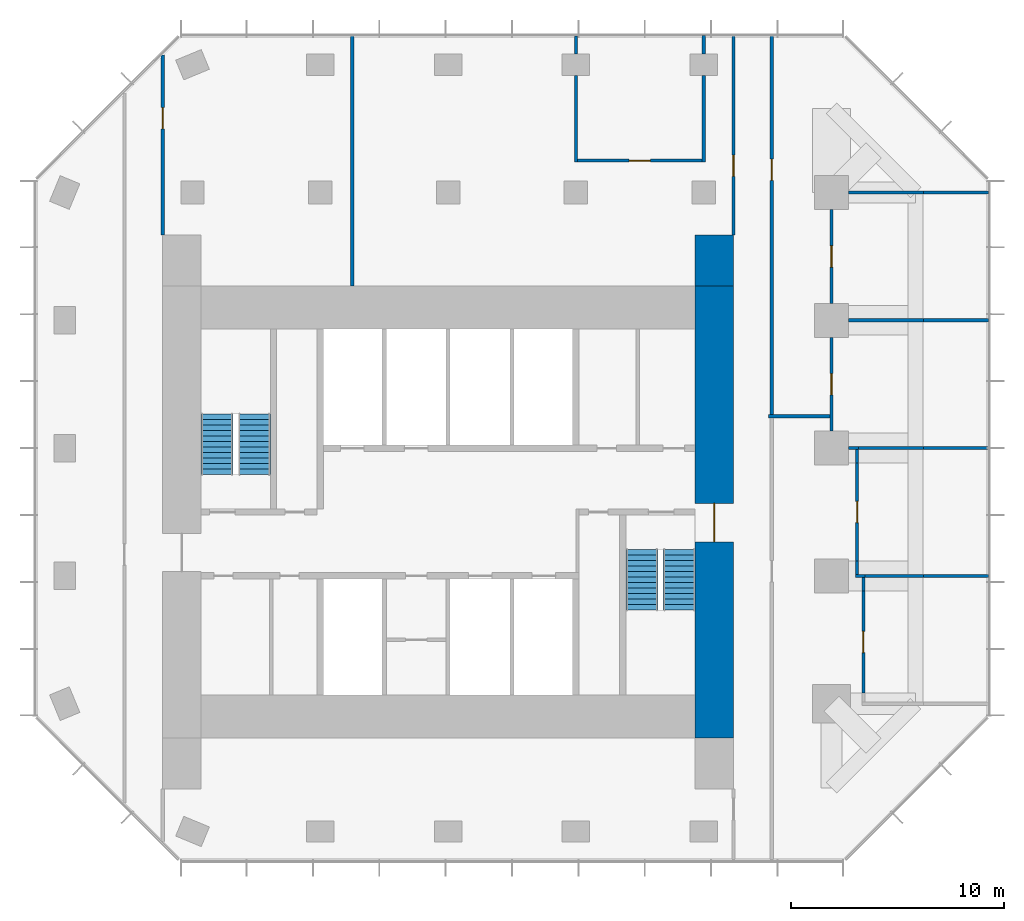
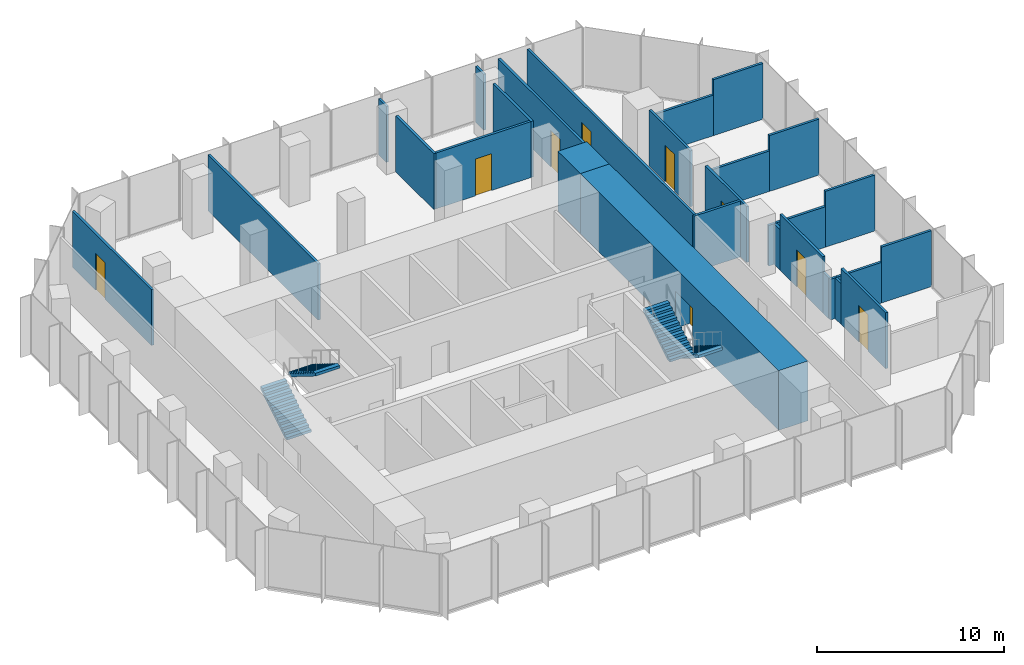
# One storey, part 9 of 10: 29 walls, 9 doors, 4 stair flights, 9 openings, 2 elements without a shape of their own.
"""IFC4 building model written with IfcOpenShell, lengths in metres."""

from ifc_helpers import new_model, si_unit, direction, frame, frame_2d, origin, place, context, subcontext, project, spatial, polyline, rectangle, outline, extrude, material, layer, layer_set, type_object, element, fill, aggregate, save


model = new_model("IFC4")

# Units and contexts
model_context = context("Model", 3, precision=1e-05, world=origin(), true_north=direction((0.0, 1.0)))
body_context = subcontext(model_context, "Body", "Model", "MODEL_VIEW")
ifc_project = project(units=[si_unit("LENGTHUNIT", "METRE"), si_unit("AREAUNIT", "SQUARE_METRE"), si_unit("VOLUMEUNIT", "CUBIC_METRE"), si_unit("PLANEANGLEUNIT", "RADIAN"), si_unit("MASSUNIT", "GRAM", prefix="KILO")], contexts=[model_context])

# Site, building, storey
site_placement = place(None, origin())
site = spatial("IfcSite", under=ifc_project, at=site_placement, CompositionType="ELEMENT")
building_placement = place(site_placement, origin())
building = spatial("IfcBuilding", under=site, at=building_placement, Name="Highveld Stack Headquarters", CompositionType="ELEMENT")
storey_placement = place(building_placement, frame((0.0, 0.0, 248.89990234375)))
storey = spatial("IfcBuildingStorey", under=building, at=storey_placement, Name="L61", CompositionType="ELEMENT", Elevation=248.89990234375)

# Wall, opening, door
ifc_material_1 = material(Name="Concrete C60/75", Category="concrete")
ifc_layer_1 = layer(ifc_material_1, 1.800048828125)
ifc_layer_set_1 = layer_set([ifc_layer_1], Name="Concrete C60/75")
wall_type_1 = type_object("IfcWallType", Name="CORE WALL 1800 C60/75", PredefinedType="SHEAR", material=ifc_layer_set_1)
wall_1_placement = place(storey_placement, frame((18.5, -7.60009765625, 0.0), z_axis=(0.0, 0.0, 1.0), x_axis=(0.0, 1.0, 0.0)))
wall_1 = element("IfcWall", 1, at=wall_1_placement, inside=storey, type_object=wall_type_1, Name="Core wall E L61", PredefinedType="SHEAR", context=body_context, shape_type="SweptSolid", body=[
    extrude(rectangle(XDim=21.2001953125, YDim=1.800048828125, at=frame_2d((10.60009765625, 0.0))), origin(), (0.0, 0.0, 1.0), 3.900146484375),
])
opening_1_placement = place(wall_1_placement, frame((9.199951171875, 0.0, 0.0)))
opening_1 = element("IfcOpeningElement", 2, at=opening_1_placement, cuts=wall_1, Name="Opening L61-02", PredefinedType="OPENING", context=body_context, shape_type="SweptSolid", body=[
    extrude(rectangle(XDim=1.800048828125, YDim=2.39990234375, at=frame_2d((0.89990234375, 1.199951171875))), frame((0.0, 0.909912109375, 0.0), z_axis=(0.0, -1.0, 0.0), x_axis=(1.0, 0.0, 0.0)), (0.0, 0.0, 1.0), 1.820068359375),
])
ifc_material_2 = material(Name="Steel fire door", Category="steel")
door_type_1 = type_object("IfcDoorType", Name="LOBBY FIRE DOOR D4 1800x2400", OperationType="DOUBLE_DOOR_SINGLE_SWING", PredefinedType="DOOR", material=ifc_material_2)
door_1_placement = place(opening_1_placement, origin())
door_1 = element("IfcDoor", 3, at=door_1_placement, inside=storey, type_object=door_type_1, Name="Core east door L61", OperationType="DOUBLE_DOOR_SINGLE_SWING", OverallHeight=2.39990234375, OverallWidth=1.800048828125, PredefinedType="DOOR", context=body_context, shape_type="SweptSolid", body=[
    extrude(rectangle(XDim=1.800048828125, YDim=2.39990234375, at=frame_2d((0.89990234375, 1.199951171875))), frame((0.0, 0.02490234375, 0.0), z_axis=(0.0, -1.0, 0.0), x_axis=(1.0, 0.0, 0.0)), (0.0, 0.0, 1.0), 0.050048828125),
])
fill(opening_1, door_1)

# Walls
ifc_material_3 = material(Name="Concrete C60/75", Category="concrete")
ifc_layer_2 = layer(ifc_material_3, 1.800048828125)
ifc_layer_set_2 = layer_set([ifc_layer_2], Name="Concrete C60/75")
wall_type_2 = type_object("IfcWallType", Name="CORE WING WALL 1800 C60/75", PredefinedType="SHEAR", material=ifc_layer_set_2)
wall_2_placement = place(storey_placement, frame((18.5, 13.60009765625, 0.0), z_axis=(0.0, 0.0, 1.0), x_axis=(0.0, 1.0, 0.0)))
element("IfcWall", 4, at=wall_2_placement, inside=storey, type_object=wall_type_2, Name="Core wing wall EN L61", PredefinedType="SHEAR", context=body_context, shape_type="SweptSolid", body=[
    extrude(rectangle(XDim=2.39990234375, YDim=1.800048828125, at=frame_2d((1.199951171875, 0.0))), origin(), (0.0, 0.0, 1.0), 3.900146484375),
])
ifc_material_4 = material(Name="Gypsum plasterboard on steel studs", Category="steel")
ifc_layer_3 = layer(ifc_material_4, 0.14990234375)
ifc_layer_set_3 = layer_set([ifc_layer_3], Name="Gypsum plasterboard on steel studs")
wall_type_3 = type_object("IfcWallType", Name="PARTITION 150 PLASTERBOARD", PredefinedType="PARTITIONING", material=ifc_layer_set_3)
wall_3_placement = place(storey_placement, frame((25.125, 0.0, 0.0), z_axis=(0.0, 0.0, 1.0), x_axis=(1.0, 0.0, 0.0)))
element("IfcWall", 5, at=wall_3_placement, inside=storey, type_object=wall_type_3, Name="Partition Tea kitchen L61", PredefinedType="PARTITIONING", context=body_context, shape_type="SweptSolid", body=[
    extrude(rectangle(XDim=0.449951171875, YDim=0.14990234375, at=frame_2d((0.22509765625, 0.0))), origin(), (0.0, 0.0, 1.0), 2.650146484375),
])
wall_4_placement = place(storey_placement, frame((25.5, 0.0, 0.0), z_axis=(0.0, 0.0, 1.0), x_axis=(1.0, 0.0, 0.0)))
element("IfcWall", 6, at=wall_4_placement, inside=storey, type_object=wall_type_3, Name="Partition Quiet room / Tea kitchen L61", PredefinedType="PARTITIONING", context=body_context, shape_type="SweptSolid", body=[
    extrude(rectangle(XDim=2.81005859375, YDim=0.14990234375, at=frame_2d((1.405029296875, 0.0))), origin(), (0.0, 0.0, 1.0), 2.650146484375),
])
wall_5_placement = place(storey_placement, frame((28.31005859375, 0.0, 0.0), z_axis=(0.0, 0.0, 1.0), x_axis=(1.0, 0.0, 0.0)))
element("IfcWall", 7, at=wall_5_placement, inside=storey, type_object=wall_type_3, Name="Partition Quiet room / Tea kitchen L61", PredefinedType="PARTITIONING", context=body_context, shape_type="SweptSolid", body=[
    extrude(rectangle(XDim=3.06494140625, YDim=0.14990234375, at=frame_2d((1.532470703125, 0.0))), origin(), (0.0, 0.0, 1.0), 3.650146484375),
])
wall_6_placement = place(storey_placement, frame((24.800048828125, 6.0, 0.0), z_axis=(0.0, 0.0, 1.0), x_axis=(1.0, 0.0, 0.0)))
element("IfcWall", 8, at=wall_6_placement, inside=storey, type_object=wall_type_3, Name="Partition Executive office L61", PredefinedType="PARTITIONING", context=body_context, shape_type="SweptSolid", body=[
    extrude(rectangle(XDim=0.474853515625, YDim=0.14990234375, at=frame_2d((0.2373046875, 0.0))), origin(), (0.0, 0.0, 1.0), 2.650146484375),
])
wall_7_placement = place(storey_placement, frame((25.199951171875, 6.0, 0.0), z_axis=(0.0, 0.0, 1.0), x_axis=(1.0, 0.0, 0.0)))
element("IfcWall", 9, at=wall_7_placement, inside=storey, type_object=wall_type_3, Name="Partition Executive office / Tea kitchen L61", PredefinedType="PARTITIONING", context=body_context, shape_type="SweptSolid", body=[
    extrude(rectangle(XDim=3.110107421875, YDim=0.14990234375, at=frame_2d((1.55517578125, 0.0))), origin(), (0.0, 0.0, 1.0), 2.650146484375),
])
wall_8_placement = place(storey_placement, frame((28.31005859375, 6.0, 0.0), z_axis=(0.0, 0.0, 1.0), x_axis=(1.0, 0.0, 0.0)))
element("IfcWall", 10, at=wall_8_placement, inside=storey, type_object=wall_type_3, Name="Partition Executive office / Tea kitchen L61", PredefinedType="PARTITIONING", context=body_context, shape_type="SweptSolid", body=[
    extrude(rectangle(XDim=3.0400390625, YDim=0.14990234375, at=frame_2d((1.52001953125, 0.0))), origin(), (0.0, 0.0, 1.0), 3.650146484375),
])
wall_9_placement = place(storey_placement, frame((24.800048828125, 12.0, 0.0), z_axis=(0.0, 0.0, 1.0), x_axis=(1.0, 0.0, 0.0)))
element("IfcWall", 11, at=wall_9_placement, inside=storey, type_object=wall_type_3, Name="Partition Executive office L61", PredefinedType="PARTITIONING", context=body_context, shape_type="SweptSolid", body=[
    extrude(rectangle(XDim=3.510009765625, YDim=0.14990234375, at=frame_2d((1.7548828125, 0.0))), origin(), (0.0, 0.0, 1.0), 2.650146484375),
])
wall_10_placement = place(storey_placement, frame((28.31005859375, 12.0, 0.0), z_axis=(0.0, 0.0, 1.0), x_axis=(1.0, 0.0, 0.0)))
element("IfcWall", 12, at=wall_10_placement, inside=storey, type_object=wall_type_3, Name="Partition Executive office L61", PredefinedType="PARTITIONING", context=body_context, shape_type="SweptSolid", body=[
    extrude(rectangle(XDim=3.06494140625, YDim=0.14990234375, at=frame_2d((1.532470703125, 0.0))), origin(), (0.0, 0.0, 1.0), 3.650146484375),
])
wall_11_placement = place(storey_placement, frame((24.800048828125, 18.0, 0.0), z_axis=(0.0, 0.0, 1.0), x_axis=(1.0, 0.0, 0.0)))
element("IfcWall", 13, at=wall_11_placement, inside=storey, type_object=wall_type_3, Name="Partition Executive office L61", PredefinedType="PARTITIONING", context=body_context, shape_type="SweptSolid", body=[
    extrude(rectangle(XDim=3.510009765625, YDim=0.14990234375, at=frame_2d((1.7548828125, 0.0))), origin(), (0.0, 0.0, 1.0), 2.650146484375),
])
wall_12_placement = place(storey_placement, frame((28.31005859375, 18.0, 0.0), z_axis=(0.0, 0.0, 1.0), x_axis=(1.0, 0.0, 0.0)))
element("IfcWall", 14, at=wall_12_placement, inside=storey, type_object=wall_type_3, Name="Partition Executive office L61", PredefinedType="PARTITIONING", context=body_context, shape_type="SweptSolid", body=[
    extrude(rectangle(XDim=3.06494140625, YDim=0.14990234375, at=frame_2d((1.532470703125, 0.0))), origin(), (0.0, 0.0, 1.0), 3.650146484375),
])

# Wall, opening, door
wall_13_placement = place(storey_placement, frame((12.074951171875, 19.5, 0.0), z_axis=(0.0, 0.0, 1.0), x_axis=(1.0, 0.0, 0.0)))
wall_13 = element("IfcWall", 15, at=wall_13_placement, inside=storey, type_object=wall_type_3, Name="Partition Quiet room L61", PredefinedType="PARTITIONING", context=body_context, shape_type="SweptSolid", body=[
    extrude(rectangle(XDim=5.85009765625, YDim=0.14990234375, at=frame_2d((2.925048828125, 0.0))), origin(), (0.0, 0.0, 1.0), 3.650146484375),
])
opening_2_placement = place(wall_13_placement, frame((2.425048828125, 0.0, 0.0)))
opening_2 = element("IfcOpeningElement", 16, at=opening_2_placement, cuts=wall_13, Name="Opening L61-17", PredefinedType="OPENING", context=body_context, shape_type="SweptSolid", body=[
    extrude(rectangle(XDim=1.0, YDim=2.39990234375, at=frame_2d((0.5, 1.199951171875))), frame((0.0, 0.0849609375, 0.0), z_axis=(0.0, -1.0, 0.0), x_axis=(1.0, 0.0, 0.0)), (0.0, 0.0, 1.0), 0.169921875),
])
ifc_material_5 = material(Name="Timber door, oiled ash", Category="wood")
door_type_2 = type_object("IfcDoorType", Name="ROOM DOOR D11 1000x2400", OperationType="SINGLE_SWING_LEFT", PredefinedType="DOOR", material=ifc_material_5)
door_2_placement = place(opening_2_placement, origin())
door_2 = element("IfcDoor", 17, at=door_2_placement, inside=storey, type_object=door_type_2, Name="Quiet room door 1 L61", OperationType="SINGLE_SWING_LEFT", OverallHeight=2.39990234375, OverallWidth=1.0, PredefinedType="DOOR", context=body_context, shape_type="SweptSolid", body=[
    extrude(rectangle(XDim=1.0, YDim=2.39990234375, at=frame_2d((0.5, 1.199951171875))), frame((0.0, 0.02490234375, 0.0), z_axis=(0.0, -1.0, 0.0), x_axis=(1.0, 0.0, 0.0)), (0.0, 0.0, 1.0), 0.050048828125),
])
fill(opening_2, door_2)

# Walls
wall_14_placement = place(storey_placement, frame((12.0, 19.425048828125, 0.0), z_axis=(0.0, 0.0, 1.0), x_axis=(0.0, 1.0, 0.0)))
element("IfcWall", 18, at=wall_14_placement, inside=storey, type_object=wall_type_3, Name="Partition Quiet room L61", PredefinedType="PARTITIONING", context=body_context, shape_type="SweptSolid", body=[
    extrude(rectangle(XDim=4.074951171875, YDim=0.14990234375, at=frame_2d((2.03759765625, 0.0))), origin(), (0.0, 0.0, 1.0), 3.650146484375),
])
wall_15_placement = place(storey_placement, frame((12.0, 24.5, 0.0), z_axis=(0.0, 0.0, 1.0), x_axis=(0.0, 1.0, 0.0)))
element("IfcWall", 19, at=wall_15_placement, inside=storey, type_object=wall_type_3, Name="Partition Quiet room L61", PredefinedType="PARTITIONING", context=body_context, shape_type="SweptSolid", body=[
    extrude(rectangle(XDim=0.85009765625, YDim=0.14990234375, at=frame_2d((0.425048828125, 0.0))), origin(), (0.0, 0.0, 1.0), 3.650146484375),
])
wall_16_placement = place(storey_placement, frame((18.0, 19.425048828125, 0.0), z_axis=(0.0, 0.0, 1.0), x_axis=(0.0, 1.0, 0.0)))
element("IfcWall", 20, at=wall_16_placement, inside=storey, type_object=wall_type_3, Name="Partition Quiet room L61", PredefinedType="PARTITIONING", context=body_context, shape_type="SweptSolid", body=[
    extrude(rectangle(XDim=4.074951171875, YDim=0.14990234375, at=frame_2d((2.03759765625, 0.0))), origin(), (0.0, 0.0, 1.0), 3.650146484375),
])
wall_17_placement = place(storey_placement, frame((18.0, 24.5, 0.0), z_axis=(0.0, 0.0, 1.0), x_axis=(0.0, 1.0, 0.0)))
element("IfcWall", 21, at=wall_17_placement, inside=storey, type_object=wall_type_3, Name="Partition Quiet room L61", PredefinedType="PARTITIONING", context=body_context, shape_type="SweptSolid", body=[
    extrude(rectangle(XDim=0.875, YDim=0.14990234375, at=frame_2d((0.4375, 0.0))), origin(), (0.0, 0.0, 1.0), 3.650146484375),
])

# Wall, opening, door
wall_18_placement = place(storey_placement, frame((24.0, 6.800048828125, 0.0), z_axis=(0.0, 0.0, 1.0), x_axis=(0.0, 1.0, 0.0)))
wall_18 = element("IfcWall", 22, at=wall_18_placement, inside=storey, type_object=wall_type_3, Name="Partition Executive office L61", PredefinedType="PARTITIONING", context=body_context, shape_type="SweptSolid", body=[
    extrude(rectangle(XDim=4.39990234375, YDim=0.14990234375, at=frame_2d((2.199951171875, 0.0))), origin(), (0.0, 0.0, 1.0), 3.650146484375),
])
opening_3_placement = place(wall_18_placement, frame((1.699951171875, 0.0, 0.0)))
opening_3 = element("IfcOpeningElement", 23, at=opening_3_placement, cuts=wall_18, Name="Opening L61-15", PredefinedType="OPENING", context=body_context, shape_type="SweptSolid", body=[
    extrude(rectangle(XDim=1.0, YDim=2.39990234375, at=frame_2d((0.5, 1.199951171875))), frame((0.0, 0.0849609375, 0.0), z_axis=(0.0, -1.0, 0.0), x_axis=(1.0, 0.0, 0.0)), (0.0, 0.0, 1.0), 0.169921875),
])
door_3_placement = place(opening_3_placement, origin())
door_3 = element("IfcDoor", 24, at=door_3_placement, inside=storey, type_object=door_type_2, Name="Executive office door 1 L61", OperationType="SINGLE_SWING_LEFT", OverallHeight=2.39990234375, OverallWidth=1.0, PredefinedType="DOOR", context=body_context, shape_type="SweptSolid", body=[
    extrude(rectangle(XDim=1.0, YDim=2.39990234375, at=frame_2d((0.5, 1.199951171875))), frame((0.0, 0.02490234375, 0.0), z_axis=(0.0, -1.0, 0.0), x_axis=(1.0, 0.0, 0.0)), (0.0, 0.0, 1.0), 0.050048828125),
])
fill(opening_3, door_3)

wall_19_placement = place(storey_placement, frame((24.0, 12.800048828125, 0.0), z_axis=(0.0, 0.0, 1.0), x_axis=(0.0, 1.0, 0.0)))
wall_19 = element("IfcWall", 25, at=wall_19_placement, inside=storey, type_object=wall_type_3, Name="Partition Executive office L61", PredefinedType="PARTITIONING", context=body_context, shape_type="SweptSolid", body=[
    extrude(rectangle(XDim=4.39990234375, YDim=0.14990234375, at=frame_2d((2.199951171875, 0.0))), origin(), (0.0, 0.0, 1.0), 3.650146484375),
])
opening_4_placement = place(wall_19_placement, frame((1.699951171875, 0.0, 0.0)))
opening_4 = element("IfcOpeningElement", 26, at=opening_4_placement, cuts=wall_19, Name="Opening L61-16", PredefinedType="OPENING", context=body_context, shape_type="SweptSolid", body=[
    extrude(rectangle(XDim=1.0, YDim=2.39990234375, at=frame_2d((0.5, 1.199951171875))), frame((0.0, 0.0849609375, 0.0), z_axis=(0.0, -1.0, 0.0), x_axis=(1.0, 0.0, 0.0)), (0.0, 0.0, 1.0), 0.169921875),
])
door_4_placement = place(opening_4_placement, origin())
door_4 = element("IfcDoor", 27, at=door_4_placement, inside=storey, type_object=door_type_2, Name="Executive office door 1 L61", OperationType="SINGLE_SWING_LEFT", OverallHeight=2.39990234375, OverallWidth=1.0, PredefinedType="DOOR", context=body_context, shape_type="SweptSolid", body=[
    extrude(rectangle(XDim=1.0, YDim=2.39990234375, at=frame_2d((0.5, 1.199951171875))), frame((0.0, 0.02490234375, 0.0), z_axis=(0.0, -1.0, 0.0), x_axis=(1.0, 0.0, 0.0)), (0.0, 0.0, 1.0), 0.050048828125),
])
fill(opening_4, door_4)

# Wall
wall_20_placement = place(storey_placement, frame((25.199951171875, 0.074951171875, 0.0), z_axis=(0.0, 0.0, 1.0), x_axis=(0.0, 1.0, 0.0)))
element("IfcWall", 28, at=wall_20_placement, inside=storey, type_object=wall_type_3, Name="Partition Tea kitchen L61", PredefinedType="PARTITIONING", context=body_context, shape_type="SweptSolid", body=[
    extrude(rectangle(XDim=0.635009765625, YDim=0.14990234375, at=frame_2d((0.3173828125, 0.0))), origin(), (0.0, 0.0, 1.0), 2.650146484375),
])

# Wall, opening, door
wall_21_placement = place(storey_placement, frame((25.199951171875, 0.7099609375, 0.0), z_axis=(0.0, 0.0, 1.0), x_axis=(0.0, 1.0, 0.0)))
wall_21 = element("IfcWall", 29, at=wall_21_placement, inside=storey, type_object=wall_type_3, Name="Partition Tea kitchen L61", PredefinedType="PARTITIONING", context=body_context, shape_type="SweptSolid", body=[
    extrude(rectangle(XDim=4.580078125, YDim=0.14990234375, at=frame_2d((2.2900390625, 0.0))), origin(), (0.0, 0.0, 1.0), 3.650146484375),
])
opening_5_placement = place(wall_21_placement, frame((1.7900390625, 0.0, 0.0)))
opening_5 = element("IfcOpeningElement", 30, at=opening_5_placement, cuts=wall_21, Name="Opening L61-14", PredefinedType="OPENING", context=body_context, shape_type="SweptSolid", body=[
    extrude(rectangle(XDim=1.0, YDim=2.39990234375, at=frame_2d((0.5, 1.199951171875))), frame((0.0, 0.0849609375, 0.0), z_axis=(0.0, -1.0, 0.0), x_axis=(1.0, 0.0, 0.0)), (0.0, 0.0, 1.0), 0.169921875),
])
door_5_placement = place(opening_5_placement, origin())
door_5 = element("IfcDoor", 31, at=door_5_placement, inside=storey, type_object=door_type_2, Name="Tea kitchen door 1 L61", OperationType="SINGLE_SWING_LEFT", OverallHeight=2.39990234375, OverallWidth=1.0, PredefinedType="DOOR", context=body_context, shape_type="SweptSolid", body=[
    extrude(rectangle(XDim=1.0, YDim=2.39990234375, at=frame_2d((0.5, 1.199951171875))), frame((0.0, 0.02490234375, 0.0), z_axis=(0.0, -1.0, 0.0), x_axis=(1.0, 0.0, 0.0)), (0.0, 0.0, 1.0), 0.050048828125),
])
fill(opening_5, door_5)

# Wall
wall_22_placement = place(storey_placement, frame((25.199951171875, 5.2900390625, 0.0), z_axis=(0.0, 0.0, 1.0), x_axis=(0.0, 1.0, 0.0)))
element("IfcWall", 32, at=wall_22_placement, inside=storey, type_object=wall_type_3, Name="Partition Tea kitchen L61", PredefinedType="PARTITIONING", context=body_context, shape_type="SweptSolid", body=[
    extrude(rectangle(XDim=0.635009765625, YDim=0.14990234375, at=frame_2d((0.3173828125, 0.0))), origin(), (0.0, 0.0, 1.0), 2.650146484375),
])

# Wall, opening, door
wall_23_placement = place(storey_placement, frame((25.5, -5.489990234375, 0.0), z_axis=(0.0, 0.0, 1.0), x_axis=(0.0, 1.0, 0.0)))
wall_23 = element("IfcWall", 33, at=wall_23_placement, inside=storey, type_object=wall_type_3, Name="Partition Quiet room L61", PredefinedType="PARTITIONING", context=body_context, shape_type="SweptSolid", body=[
    extrude(rectangle(XDim=4.780029296875, YDim=0.14990234375, at=frame_2d((2.39013671875, 0.0))), origin(), (0.0, 0.0, 1.0), 3.650146484375),
])
opening_6_placement = place(wall_23_placement, frame((1.889892578125, 0.0, 0.0)))
opening_6 = element("IfcOpeningElement", 34, at=opening_6_placement, cuts=wall_23, Name="Opening L61-13", PredefinedType="OPENING", context=body_context, shape_type="SweptSolid", body=[
    extrude(rectangle(XDim=1.0, YDim=2.39990234375, at=frame_2d((0.5, 1.199951171875))), frame((0.0, 0.0849609375, 0.0), z_axis=(0.0, -1.0, 0.0), x_axis=(1.0, 0.0, 0.0)), (0.0, 0.0, 1.0), 0.169921875),
])
door_6_placement = place(opening_6_placement, origin())
door_6 = element("IfcDoor", 35, at=door_6_placement, inside=storey, type_object=door_type_2, Name="Quiet room door 1 L61", OperationType="SINGLE_SWING_LEFT", OverallHeight=2.39990234375, OverallWidth=1.0, PredefinedType="DOOR", context=body_context, shape_type="SweptSolid", body=[
    extrude(rectangle(XDim=1.0, YDim=2.39990234375, at=frame_2d((0.5, 1.199951171875))), frame((0.0, 0.02490234375, 0.0), z_axis=(0.0, -1.0, 0.0), x_axis=(1.0, 0.0, 0.0)), (0.0, 0.0, 1.0), 0.050048828125),
])
fill(opening_6, door_6)

# Wall
wall_24_placement = place(storey_placement, frame((25.5, -0.7099609375, 0.0), z_axis=(0.0, 0.0, 1.0), x_axis=(0.0, 1.0, 0.0)))
element("IfcWall", 36, at=wall_24_placement, inside=storey, type_object=wall_type_3, Name="Partition Quiet room L61", PredefinedType="PARTITIONING", context=body_context, shape_type="SweptSolid", body=[
    extrude(rectangle(XDim=0.635009765625, YDim=0.14990234375, at=frame_2d((0.3173828125, 0.0))), origin(), (0.0, 0.0, 1.0), 2.650146484375),
])

# Wall, opening, door
wall_25_placement = place(storey_placement, frame((-7.39990234375, 16.0, 0.0), z_axis=(0.0, 0.0, 1.0), x_axis=(0.0, 1.0, 0.0)))
wall_25 = element("IfcWall", 37, at=wall_25_placement, inside=storey, type_object=wall_type_3, Name="Partition office neighbourhood L61", PredefinedType="PARTITIONING", context=body_context, shape_type="SweptSolid", body=[
    extrude(rectangle(XDim=8.464111328125, YDim=0.14990234375, at=frame_2d((4.23193359375, 0.0))), origin(), (0.0, 0.0, 1.0), 3.650146484375),
])
opening_7_placement = place(wall_25_placement, frame((4.985107421875, 0.0, 0.0)))
opening_7 = element("IfcOpeningElement", 38, at=opening_7_placement, cuts=wall_25, Name="Opening L61-22", PredefinedType="OPENING", context=body_context, shape_type="SweptSolid", body=[
    extrude(rectangle(XDim=1.0, YDim=2.39990234375, at=frame_2d((0.5, 1.199951171875))), frame((0.0, 0.0849609375, 0.0), z_axis=(0.0, -1.0, 0.0), x_axis=(1.0, 0.0, 0.0)), (0.0, 0.0, 1.0), 0.169921875),
])
door_7_placement = place(opening_7_placement, origin())
door_7 = element("IfcDoor", 39, at=door_7_placement, inside=storey, type_object=door_type_2, Name="Office neighbourhood door L61", OperationType="SINGLE_SWING_RIGHT", OverallHeight=2.39990234375, OverallWidth=1.0, PredefinedType="DOOR", context=body_context, shape_type="SweptSolid", body=[
    extrude(rectangle(XDim=1.0, YDim=2.39990234375, at=frame_2d((0.5, 1.199951171875))), frame((0.0, 0.02490234375, 0.0), z_axis=(0.0, -1.0, 0.0), x_axis=(1.0, 0.0, 0.0)), (0.0, 0.0, 1.0), 0.050048828125),
])
fill(opening_7, door_7)

# Wall
wall_26_placement = place(storey_placement, frame((1.5, 13.60009765625, 0.0), z_axis=(0.0, 0.0, 1.0), x_axis=(0.0, 1.0, 0.0)))
element("IfcWall", 40, at=wall_26_placement, inside=storey, type_object=wall_type_3, Name="Partition office neighbourhood L61", PredefinedType="PARTITIONING", context=body_context, shape_type="SweptSolid", body=[
    extrude(rectangle(XDim=11.77490234375, YDim=0.14990234375, at=frame_2d((5.887451171875, 0.0))), origin(), (0.0, 0.0, 1.0), 3.650146484375),
])

# Wall, opening, door
wall_27_placement = place(storey_placement, frame((19.39990234375, 16.0, 0.0), z_axis=(0.0, 0.0, 1.0), x_axis=(0.0, 1.0, 0.0)))
wall_27 = element("IfcWall", 41, at=wall_27_placement, inside=storey, type_object=wall_type_3, Name="Partition office neighbourhood L61", PredefinedType="PARTITIONING", context=body_context, shape_type="SweptSolid", body=[
    extrude(rectangle(XDim=9.375, YDim=0.14990234375, at=frame_2d((4.6875, 0.0))), origin(), (0.0, 0.0, 1.0), 3.650146484375),
])
opening_8_placement = place(wall_27_placement, frame((2.7548828125, 0.0, 0.0)))
opening_8 = element("IfcOpeningElement", 42, at=opening_8_placement, cuts=wall_27, Name="Opening L61-21", PredefinedType="OPENING", context=body_context, shape_type="SweptSolid", body=[
    extrude(rectangle(XDim=1.0, YDim=2.39990234375, at=frame_2d((0.5, 1.199951171875))), frame((0.0, 0.0849609375, 0.0), z_axis=(0.0, -1.0, 0.0), x_axis=(1.0, 0.0, 0.0)), (0.0, 0.0, 1.0), 0.169921875),
])
door_8_placement = place(opening_8_placement, origin())
door_8 = element("IfcDoor", 43, at=door_8_placement, inside=storey, type_object=door_type_2, Name="Office neighbourhood door L61", OperationType="SINGLE_SWING_LEFT", OverallHeight=2.39990234375, OverallWidth=1.0, PredefinedType="DOOR", context=body_context, shape_type="SweptSolid", body=[
    extrude(rectangle(XDim=1.0, YDim=2.39990234375, at=frame_2d((0.5, 1.199951171875))), frame((0.0, 0.02490234375, 0.0), z_axis=(0.0, -1.0, 0.0), x_axis=(1.0, 0.0, 0.0)), (0.0, 0.0, 1.0), 0.050048828125),
])
fill(opening_8, door_8)

wall_28_placement = place(storey_placement, frame((21.199951171875, 7.574951171875, 0.0), z_axis=(0.0, 0.0, 1.0), x_axis=(0.0, 1.0, 0.0)))
wall_28 = element("IfcWall", 44, at=wall_28_placement, inside=storey, type_object=wall_type_3, Name="Partition office neighbourhood L61", PredefinedType="PARTITIONING", context=body_context, shape_type="SweptSolid", body=[
    extrude(rectangle(XDim=17.800048828125, YDim=0.14990234375, at=frame_2d((8.89990234375, 0.0))), origin(), (0.0, 0.0, 1.0), 3.650146484375),
])
opening_9_placement = place(wall_28_placement, frame((10.9951171875, 0.0, 0.0)))
opening_9 = element("IfcOpeningElement", 45, at=opening_9_placement, cuts=wall_28, Name="Opening L61-20", PredefinedType="OPENING", context=body_context, shape_type="SweptSolid", body=[
    extrude(rectangle(XDim=1.0, YDim=2.39990234375, at=frame_2d((0.5, 1.199951171875))), frame((0.0, 0.0849609375, 0.0), z_axis=(0.0, -1.0, 0.0), x_axis=(1.0, 0.0, 0.0)), (0.0, 0.0, 1.0), 0.169921875),
])
door_9_placement = place(opening_9_placement, origin())
door_9 = element("IfcDoor", 46, at=door_9_placement, inside=storey, type_object=door_type_2, Name="Office neighbourhood door L61", OperationType="SINGLE_SWING_RIGHT", OverallHeight=2.39990234375, OverallWidth=1.0, PredefinedType="DOOR", context=body_context, shape_type="SweptSolid", body=[
    extrude(rectangle(XDim=1.0, YDim=2.39990234375, at=frame_2d((0.5, 1.199951171875))), frame((0.0, 0.02490234375, 0.0), z_axis=(0.0, -1.0, 0.0), x_axis=(1.0, 0.0, 0.0)), (0.0, 0.0, 1.0), 0.050048828125),
])
fill(opening_9, door_9)

# Wall
wall_29_placement = place(storey_placement, frame((21.050048828125, 7.5, 0.0), z_axis=(0.0, 0.0, 1.0), x_axis=(1.0, 0.0, 0.0)))
element("IfcWall", 47, at=wall_29_placement, inside=storey, type_object=wall_type_3, Name="Partition office neighbourhood L61", PredefinedType="PARTITIONING", context=body_context, shape_type="SweptSolid", body=[
    extrude(rectangle(XDim=2.875, YDim=0.14990234375, at=frame_2d((1.4375, 0.0))), origin(), (0.0, 0.0, 1.0), 3.650146484375),
])

# Stair, stair flights
ifc_material_6 = material(Name="Concrete C40/50, precast", Category="concrete")
stair_type_1 = type_object("IfcStairType", Name="STAIR S1 HALF TURN 1500", PredefinedType="HALF_TURN_STAIR", material=ifc_material_6)
stair_1_placement = place(storey_placement, origin())
stair_1 = element("IfcStair", 48, at=stair_1_placement, inside=storey, type_object=stair_type_1, Name="Stair S1 L61", PredefinedType="HALF_TURN_STAIR")
ifc_material_7 = material(Name="Concrete C40/50, precast", Category="concrete")
stair_flight_type = type_object("IfcStairFlightType", Name="STAIR FLIGHT 1500 PRECAST", PredefinedType="STRAIGHT", material=ifc_material_7)
stair_flight_1_placement = place(storey_placement, frame((-4.85009765625, 4.75, 0.0), z_axis=(0.0, 0.0, 1.0), x_axis=(0.0, 1.0, 0.0)))
stair_flight_1 = element("IfcStairFlight", 49, at=stair_flight_1_placement, type_object=stair_flight_type, Name="S1 flight 1", NumberOfRisers=12, NumberOfTreads=11, PredefinedType="STRAIGHT", RiserHeight=0.1625, TreadLength=0.26, context=body_context, shape_type="SweptSolid", body=[
    extrude(outline(polyline([(0.0, 0.0), (0.0, 0.16259765625), (0.260009765625, 0.16259765625), (0.260009765625, 0.324951171875), (0.52001953125, 0.324951171875), (0.52001953125, 0.487548828125), (0.780029296875, 0.487548828125), (0.780029296875, 0.64990234375), (1.0400390625, 0.64990234375), (1.0400390625, 0.8125), (1.300048828125, 0.8125), (1.300048828125, 0.97509765625), (1.56005859375, 0.97509765625), (1.56005859375, 1.137451171875), (1.820068359375, 1.137451171875), (1.820068359375, 1.300048828125), (2.080078125, 1.300048828125), (2.080078125, 1.46240234375), (2.340087890625, 1.46240234375), (2.340087890625, 1.625), (2.60009765625, 1.625), (2.60009765625, 1.78759765625), (2.860107421875, 1.78759765625), (2.860107421875, 1.949951171875), (2.860107421875, 1.61083984375), (0.28271484375, 0.0), (0.0, 0.0)])), frame((0.0, 0.75, 0.0), z_axis=(0.0, -1.0, 0.0), x_axis=(1.0, 0.0, 0.0)), (0.0, 0.0, 1.0), 1.5),
])
stair_flight_2_placement = place(storey_placement, frame((-3.10009765625, 7.610107421875, 1.9501953125), z_axis=(0.0, 0.0, 1.0), x_axis=(0.0, -1.0, 0.0)))
stair_flight_2 = element("IfcStairFlight", 50, at=stair_flight_2_placement, type_object=stair_flight_type, Name="S1 flight 2", NumberOfRisers=12, NumberOfTreads=11, PredefinedType="STRAIGHT", RiserHeight=0.1625, TreadLength=0.26, context=body_context, shape_type="SweptSolid", body=[
    extrude(outline(polyline([(0.0, 0.0), (0.0, 0.16259765625), (0.260009765625, 0.16259765625), (0.260009765625, 0.324951171875), (0.52001953125, 0.324951171875), (0.52001953125, 0.487548828125), (0.780029296875, 0.487548828125), (0.780029296875, 0.64990234375), (1.0400390625, 0.64990234375), (1.0400390625, 0.8125), (1.300048828125, 0.8125), (1.300048828125, 0.97509765625), (1.56005859375, 0.97509765625), (1.56005859375, 1.137451171875), (1.820068359375, 1.137451171875), (1.820068359375, 1.300048828125), (2.080078125, 1.300048828125), (2.080078125, 1.46240234375), (2.340087890625, 1.46240234375), (2.340087890625, 1.625), (2.60009765625, 1.625), (2.60009765625, 1.78759765625), (2.860107421875, 1.78759765625), (2.860107421875, 1.949951171875), (2.860107421875, 1.61083984375), (0.28271484375, 0.0), (0.0, 0.0)])), frame((0.0, 0.75, 0.0), z_axis=(0.0, -1.0, 0.0), x_axis=(1.0, 0.0, 0.0)), (0.0, 0.0, 1.0), 1.5),
])
aggregate(stair_1, [stair_flight_1, stair_flight_2])

ifc_material_8 = material(Name="Concrete C40/50, precast", Category="concrete")
stair_type_2 = type_object("IfcStairType", Name="STAIR S2 HALF TURN 1500", PredefinedType="HALF_TURN_STAIR", material=ifc_material_8)
stair_2_placement = place(storey_placement, origin())
stair_2 = element("IfcStair", 51, at=stair_2_placement, inside=storey, type_object=stair_type_2, Name="Stair S2 L61", PredefinedType="HALF_TURN_STAIR")
stair_flight_3_placement = place(storey_placement, frame((16.85009765625, 1.25, 0.0), z_axis=(0.0, 0.0, 1.0), x_axis=(0.0, -1.0, 0.0)))
stair_flight_3 = element("IfcStairFlight", 52, at=stair_flight_3_placement, type_object=stair_flight_type, Name="S2 flight 1", NumberOfRisers=12, NumberOfTreads=11, PredefinedType="STRAIGHT", RiserHeight=0.1625, TreadLength=0.26, context=body_context, shape_type="SweptSolid", body=[
    extrude(outline(polyline([(0.0, 0.0), (0.0, 0.16259765625), (0.260009765625, 0.16259765625), (0.260009765625, 0.324951171875), (0.52001953125, 0.324951171875), (0.52001953125, 0.487548828125), (0.780029296875, 0.487548828125), (0.780029296875, 0.64990234375), (1.0400390625, 0.64990234375), (1.0400390625, 0.8125), (1.300048828125, 0.8125), (1.300048828125, 0.97509765625), (1.56005859375, 0.97509765625), (1.56005859375, 1.137451171875), (1.820068359375, 1.137451171875), (1.820068359375, 1.300048828125), (2.080078125, 1.300048828125), (2.080078125, 1.46240234375), (2.340087890625, 1.46240234375), (2.340087890625, 1.625), (2.60009765625, 1.625), (2.60009765625, 1.78759765625), (2.860107421875, 1.78759765625), (2.860107421875, 1.949951171875), (2.860107421875, 1.61083984375), (0.28271484375, 0.0), (0.0, 0.0)])), frame((0.0, 0.75, 0.0), z_axis=(0.0, -1.0, 0.0), x_axis=(1.0, 0.0, 0.0)), (0.0, 0.0, 1.0), 1.5),
])
stair_flight_4_placement = place(storey_placement, frame((15.10009765625, -1.610107421875, 1.9501953125), z_axis=(0.0, 0.0, 1.0), x_axis=(0.0, 1.0, 0.0)))
stair_flight_4 = element("IfcStairFlight", 53, at=stair_flight_4_placement, type_object=stair_flight_type, Name="S2 flight 2", NumberOfRisers=12, NumberOfTreads=11, PredefinedType="STRAIGHT", RiserHeight=0.1625, TreadLength=0.26, context=body_context, shape_type="SweptSolid", body=[
    extrude(outline(polyline([(0.0, 0.0), (0.0, 0.16259765625), (0.260009765625, 0.16259765625), (0.260009765625, 0.324951171875), (0.52001953125, 0.324951171875), (0.52001953125, 0.487548828125), (0.780029296875, 0.487548828125), (0.780029296875, 0.64990234375), (1.0400390625, 0.64990234375), (1.0400390625, 0.8125), (1.300048828125, 0.8125), (1.300048828125, 0.97509765625), (1.56005859375, 0.97509765625), (1.56005859375, 1.137451171875), (1.820068359375, 1.137451171875), (1.820068359375, 1.300048828125), (2.080078125, 1.300048828125), (2.080078125, 1.46240234375), (2.340087890625, 1.46240234375), (2.340087890625, 1.625), (2.60009765625, 1.625), (2.60009765625, 1.78759765625), (2.860107421875, 1.78759765625), (2.860107421875, 1.949951171875), (2.860107421875, 1.61083984375), (0.28271484375, 0.0), (0.0, 0.0)])), frame((0.0, 0.75, 0.0), z_axis=(0.0, -1.0, 0.0), x_axis=(1.0, 0.0, 0.0)), (0.0, 0.0, 1.0), 1.5),
])
aggregate(stair_2, [stair_flight_3, stair_flight_4])

save(model, "model.ifc")
